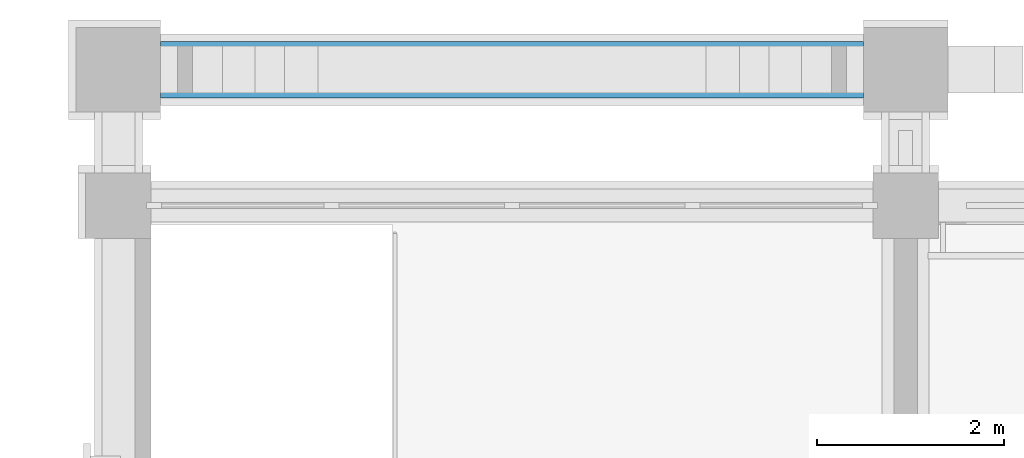
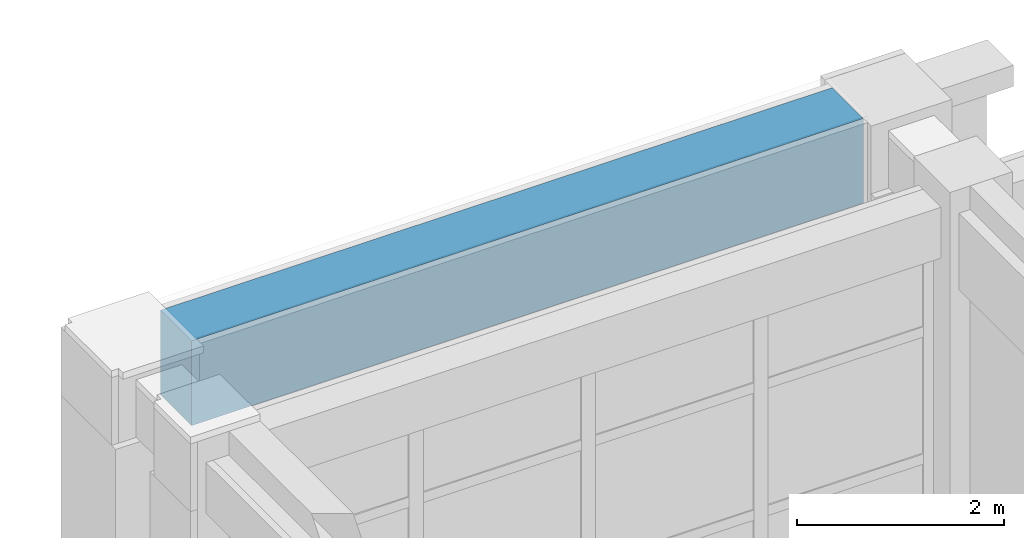
# One storey, part 30 of 99: 1 beam.
"""IFC4 building model written with IfcOpenShell, lengths in metres."""

from ifc_helpers import new_model, si_unit, direction, frame, origin, origin_2d, place, context, subcontext, project, spatial, rectangle, extrude, material, material_profile, profile_set, type_object, element, save


model = new_model("IFC4")

# Units and contexts
model_context = context("Model", 3, precision=1e-05, world=origin(), true_north=direction((0.0, 1.0)))
body_context = subcontext(model_context, "Body", "Model", "MODEL_VIEW")
ifc_project = project(units=[si_unit("LENGTHUNIT", "METRE"), si_unit("AREAUNIT", "SQUARE_METRE"), si_unit("VOLUMEUNIT", "CUBIC_METRE"), si_unit("PLANEANGLEUNIT", "RADIAN"), si_unit("MASSUNIT", "GRAM", prefix="KILO")], contexts=[model_context])

# Site, building, storey
site_placement = place(None, origin())
site = spatial("IfcSite", under=ifc_project, at=site_placement, CompositionType="ELEMENT")
building_placement = place(site_placement, origin())
building = spatial("IfcBuilding", under=site, at=building_placement, Name="Wasatch Bagh Community Centre", CompositionType="ELEMENT")
storey_placement = place(building_placement, frame((0.0, 0.0, 4.199951171875)))
storey = spatial("IfcBuildingStorey", under=building, at=storey_placement, Name="L01", CompositionType="ELEMENT", Elevation=4.199951171875)

# Beam
ifc_material = material(Name="Concrete C35", Category="concrete")
ifc_material_profile = material_profile(ifc_material, rectangle(XDim=0.60009765625, YDim=1.0, at=origin_2d()), Name="RC 600x1000")
ifc_profile_set = profile_set([ifc_material_profile], Name="Concrete C35")
beam_type = type_object("IfcBeamType", Name="CL-B5", PredefinedType="BEAM", material=ifc_profile_set)
beam_placement = place(storey_placement, frame((64.449951171875, 99.25, 3.699951171875), z_axis=(1.0, 0.0, 0.0), x_axis=(0.0, 1.0, 0.0)))
element("IfcBeam", 1, at=beam_placement, inside=storey, type_object=beam_type, Name="CL-B5 head beam LW S", PredefinedType="BEAM", context=body_context, shape_type="SweptSolid", body=[
    extrude(rectangle(XDim=0.60009765625, YDim=1.0, at=origin_2d()), origin(), (0.0, 0.0, 1.0), 7.5),
])

save(model, "model.ifc")
